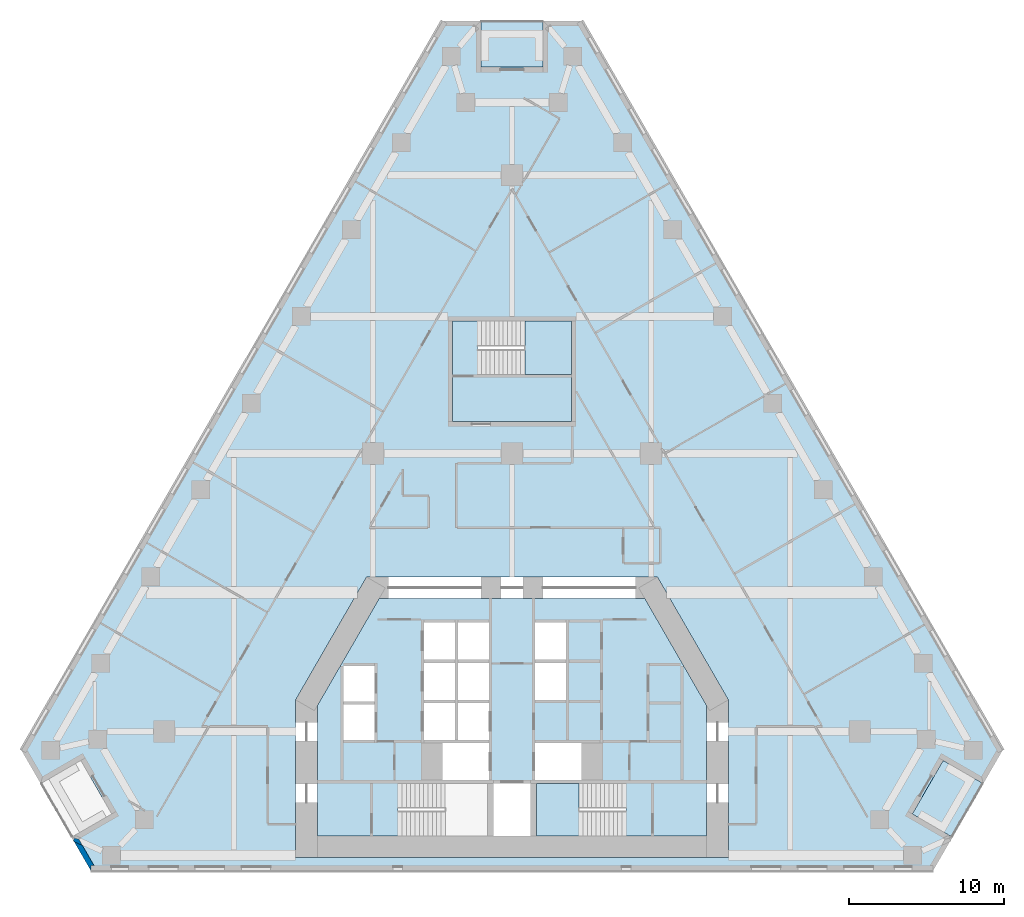
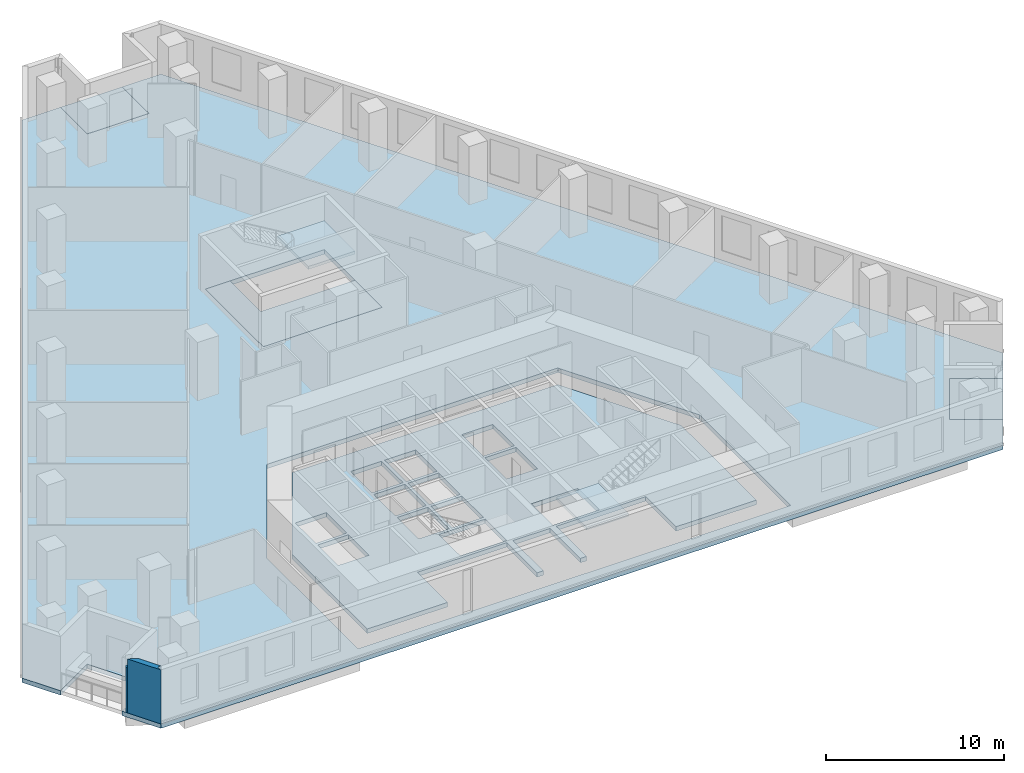
# One storey, part 2 of 11: 7 slabs, 2 walls, 2 elements without a shape of their own.
"""IFC4 building model written with IfcOpenShell, lengths in metres."""

from ifc_helpers import new_model, si_unit, direction, frame, origin, place, context, subcontext, project, spatial, polyline, outline, extrude, material, layer, layer_set, type_object, element, aggregate, save


model = new_model("IFC4")

# Units and contexts
model_context = context("Model", 3, precision=1e-05, world=origin(), true_north=direction((0.0, 1.0)))
body_context = subcontext(model_context, "Body", "Model", "MODEL_VIEW")
ifc_project = project(units=[si_unit("LENGTHUNIT", "METRE"), si_unit("AREAUNIT", "SQUARE_METRE"), si_unit("VOLUMEUNIT", "CUBIC_METRE"), si_unit("PLANEANGLEUNIT", "RADIAN"), si_unit("MASSUNIT", "GRAM", prefix="KILO")], contexts=[model_context])

# Site, building, storey
site_placement = place(None, origin())
site = spatial("IfcSite", under=ifc_project, at=site_placement, CompositionType="ELEMENT")
building_placement = place(site_placement, origin())
building = spatial("IfcBuilding", under=site, at=building_placement, Name="Fogline Exchange Tower", CompositionType="ELEMENT")
storey_placement = place(building_placement, frame((0.0, 0.0, 56.89990234375)))
storey = spatial("IfcBuildingStorey", under=building, at=storey_placement, Name="L11", CompositionType="ELEMENT", Elevation=56.89990234375)

# Slabs
ifc_material_1 = material(Name="Concrete C40", Category="concrete")
ifc_layer_1 = layer(ifc_material_1, 0.25)
ifc_layer_set_1 = layer_set([ifc_layer_1], Name="DK1")
slab_type_1 = type_object("IfcSlabType", Name="DK1", PredefinedType="FLOOR", material=ifc_layer_set_1)
slab_1_placement = place(storey_placement, frame((0.0, 0.0, -0.25)))
element("IfcSlab", 1, at=slab_1_placement, inside=storey, type_object=slab_type_1, Name="Balcony L11 SE", PredefinedType="FLOOR", context=body_context, shape_type="SweptSolid", body=[
    extrude(outline(polyline([(28.505126953125, 2.1650390625), (30.505126953125, 5.629150390625), (27.906982421875, 7.129150390625), (25.906982421875, 3.6650390625), (28.505126953125, 2.1650390625)])), origin(), (0.0, 0.0, 1.0), 0.25),
])
slab_2_placement = place(storey_placement, frame((0.0, 0.0, -0.25)))
element("IfcSlab", 2, at=slab_2_placement, inside=storey, type_object=slab_type_1, Name="Balcony L11 N", PredefinedType="FLOOR", context=body_context, shape_type="SweptSolid", body=[
    extrude(outline(polyline([(2.0, 55.001708984375), (-2.0, 55.001708984375), (-2.0, 52.001708984375), (2.0, 52.001708984375), (2.0, 55.001708984375)])), origin(), (0.0, 0.0, 1.0), 0.25),
])
ifc_layer_2 = layer(ifc_material_1, 0.300048828125)
ifc_layer_set_2 = layer_set([ifc_layer_2], Name="S04")
slab_type_2 = type_object("IfcSlabType", Name="S04", PredefinedType="FLOOR", material=ifc_layer_set_2)
slab_3_placement = place(storey_placement, frame((0.0, 0.0, -0.2998046875)))
element("IfcSlab", 3, at=slab_3_placement, inside=storey, type_object=slab_type_2, Name="SLAB L11", PredefinedType="FLOOR", context=body_context, shape_type="SweptSolid", body=[
    extrude(outline(polyline([(-2.0, 55.001708984375), (-4.5, 55.001708984375), (-31.755126953125, 7.794189453125), (-30.505126953125, 5.629150390625), (-27.906982421875, 7.129150390625), (-25.906982421875, 3.6650390625), (-28.505126953125, 2.1650390625), (-27.255126953125, 0.0), (27.255126953125, 0.0), (28.505126953125, 2.1650390625), (25.906982421875, 3.6650390625), (27.906982421875, 7.129150390625), (30.505126953125, 5.629150390625), (31.755126953125, 7.794189453125), (4.5, 55.001708984375), (2.0, 55.001708984375), (2.0, 52.001708984375), (-2.0, 52.001708984375), (-2.0, 55.001708984375)]), holes=[polyline([(14.0, 11.052490234375), (14.0, 0.85009765625), (-14.0, 0.85009765625), (-14.0, 11.052490234375), (-9.41162109375, 19.0), (9.41162109375, 19.0), (14.0, 11.052490234375)]), polyline([(3.85009765625, 35.556884765625), (3.85009765625, 29.056884765625), (-3.85009765625, 29.056884765625), (-3.85009765625, 35.556884765625), (3.85009765625, 35.556884765625)])]), origin(), (0.0, 0.0, 1.0), 0.2998046875),
])
slab_4_placement = place(storey_placement, frame((0.0, 0.0, -0.2998046875)))
element("IfcSlab", 4, at=slab_4_placement, inside=storey, type_object=slab_type_2, Name="Core floor slab", PredefinedType="FLOOR", context=body_context, shape_type="SweptSolid", body=[
    extrude(outline(polyline([(-12.60009765625, 2.25), (-12.60009765625, 10.677490234375), (-8.603271484375, 17.60009765625), (8.603271484375, 17.60009765625), (12.60009765625, 10.677490234375), (12.60009765625, 2.25), (7.389892578125, 2.25), (7.389892578125, 5.64990234375), (1.60009765625, 5.64990234375), (1.60009765625, 2.25), (1.199951171875, 2.25), (1.199951171875, 5.64990234375), (-1.199951171875, 5.64990234375), (-1.199951171875, 2.25), (-1.60009765625, 2.25), (-1.60009765625, 5.64990234375), (-7.389892578125, 5.64990234375), (-7.389892578125, 2.25), (-12.60009765625, 2.25)]), holes=[polyline([(-1.5, 8.25), (-4.5, 8.25), (-4.5, 5.85009765625), (-1.5, 5.85009765625), (-1.5, 8.25)]), polyline([(-8.89990234375, 10.75), (-10.89990234375, 10.75), (-10.89990234375, 8.449951171875), (-8.89990234375, 8.449951171875), (-8.89990234375, 10.75)]), polyline([(-3.699951171875, 10.85009765625), (-5.699951171875, 10.85009765625), (-5.699951171875, 8.449951171875), (-3.699951171875, 8.449951171875), (-3.699951171875, 10.85009765625)]), polyline([(-1.5, 10.85009765625), (-3.5, 10.85009765625), (-3.5, 8.449951171875), (-1.5, 8.449951171875), (-1.5, 10.85009765625)]), polyline([(-8.89990234375, 13.25), (-10.89990234375, 13.25), (-10.89990234375, 10.949951171875), (-8.89990234375, 10.949951171875), (-8.89990234375, 13.25)]), polyline([(-3.699951171875, 13.449951171875), (-5.699951171875, 13.449951171875), (-5.699951171875, 11.050048828125), (-3.699951171875, 11.050048828125), (-3.699951171875, 13.449951171875)]), polyline([(-3.699951171875, 16.050048828125), (-5.699951171875, 16.050048828125), (-5.699951171875, 13.64990234375), (-3.699951171875, 13.64990234375), (-3.699951171875, 16.050048828125)]), polyline([(4.5, 8.25), (1.5, 8.25), (1.5, 5.85009765625), (4.5, 5.85009765625), (4.5, 8.25)]), polyline([(-1.5, 13.449951171875), (-3.5, 13.449951171875), (-3.5, 11.050048828125), (-1.5, 11.050048828125), (-1.5, 13.449951171875)]), polyline([(3.5, 13.449951171875), (1.5, 13.449951171875), (1.5, 11.050048828125), (3.5, 11.050048828125), (3.5, 13.449951171875)]), polyline([(-1.5, 16.050048828125), (-3.5, 16.050048828125), (-3.5, 13.64990234375), (-1.5, 13.64990234375), (-1.5, 16.050048828125)]), polyline([(3.5, 16.050048828125), (1.5, 16.050048828125), (1.5, 13.64990234375), (3.5, 13.64990234375), (3.5, 16.050048828125)])]), origin(), (0.0, 0.0, 1.0), 0.2998046875),
])
slab_5_placement = place(storey_placement, frame((0.0, 0.0, -0.2998046875)))
element("IfcSlab", 5, at=slab_5_placement, inside=storey, type_object=slab_type_2, Name="Stair enclosure floor slab", PredefinedType="FLOOR", context=body_context, shape_type="SweptSolid", body=[
    extrude(outline(polyline([(3.85009765625, 29.056884765625), (-3.85009765625, 29.056884765625), (-3.85009765625, 35.556884765625), (-2.239990234375, 35.556884765625), (-2.239990234375, 32.10693359375), (3.85009765625, 32.10693359375), (3.85009765625, 29.056884765625)])), origin(), (0.0, 0.0, 1.0), 0.2998046875),
])

# Stair, slab
stair_type = type_object("IfcStairType", Name="STR24-1667", PredefinedType="HALF_TURN_STAIR", material=ifc_material_1)
stair_1_placement = place(storey_placement, origin())
stair_1 = element("IfcStair", 6, at=stair_1_placement, inside=storey, type_object=stair_type, Name="Stair ST2", PredefinedType="HALF_TURN_STAIR")
ifc_layer_3 = layer(ifc_material_1, 0.199951171875)
ifc_layer_set_3 = layer_set([ifc_layer_3], Name="SL200")
slab_type_3 = type_object("IfcSlabType", Name="SL200", PredefinedType="LANDING", material=ifc_layer_set_3)
slab_6_placement = place(storey_placement, frame((0.0, 0.0, 1.800048828125)))
slab_6 = element("IfcSlab", 7, at=slab_6_placement, type_object=slab_type_3, Name="ST2 landing 1", PredefinedType="LANDING", context=body_context, shape_type="SweptSolid", body=[
    extrude(outline(polyline([(1.60009765625, 2.25), (4.320068359375, 2.25), (4.320068359375, 5.64990234375), (1.60009765625, 5.64990234375), (1.60009765625, 2.25)])), origin(), (0.0, 0.0, 1.0), 0.199951171875),
])
aggregate(stair_1, [slab_6])

stair_2_placement = place(storey_placement, origin())
stair_2 = element("IfcStair", 8, at=stair_2_placement, inside=storey, type_object=stair_type, Name="Stair ST3", PredefinedType="HALF_TURN_STAIR")
slab_7_placement = place(storey_placement, frame((0.0, 0.0, 1.800048828125)))
slab_7 = element("IfcSlab", 9, at=slab_7_placement, type_object=slab_type_3, Name="ST3 landing 1", PredefinedType="LANDING", context=body_context, shape_type="SweptSolid", body=[
    extrude(outline(polyline([(0.830078125, 32.10693359375), (3.85009765625, 32.10693359375), (3.85009765625, 35.556884765625), (0.830078125, 35.556884765625), (0.830078125, 32.10693359375)])), origin(), (0.0, 0.0, 1.0), 0.199951171875),
])
aggregate(stair_2, [slab_7])

# Walls
ifc_material_2 = material(Name="Brick masonry", Category="masonry")
ifc_layer_4 = layer(ifc_material_2, 0.340087890625)
ifc_layer_set_4 = layer_set([ifc_layer_4], Name="FW1")
wall_type = type_object("IfcWallType", Name="FW1", PredefinedType="SOLIDWALL", material=ifc_layer_set_4)
wall_1_placement = place(storey_placement, origin())
element("IfcWall", 10, at=wall_1_placement, inside=storey, type_object=wall_type, Name="Brick wall L11 SW-c2", PredefinedType="SOLIDWALL", context=body_context, shape_type="SweptSolid", body=[
    extrude(outline(polyline([(-28.389404296875, 1.96337890625), (-28.3203125, 2.1162109375), (-28.040283203125, 2.041015625), (-27.80029296875, 1.62548828125), (-28.333740234375, 1.86669921875), (-28.389404296875, 1.96337890625)])), origin(), (0.0, 0.0, 1.0), 3.10009765625),
])
wall_2_placement = place(storey_placement, origin())
element("IfcWall", 11, at=wall_2_placement, inside=storey, type_object=wall_type, Name="Brick wall L11 SW-c2", PredefinedType="SOLIDWALL", context=body_context, shape_type="SweptSolid", body=[
    extrude(outline(polyline([(-27.254638671875, 0.33935546875), (-27.254638671875, -0.0009765625), (-27.255126953125, -0.001220703125), (-28.333740234375, 1.86669921875), (-27.80029296875, 1.62548828125), (-27.057861328125, 0.33935546875), (-27.254638671875, 0.33935546875)])), origin(), (0.0, 0.0, 1.0), 3.7001953125),
])

save(model, "model.ifc")
